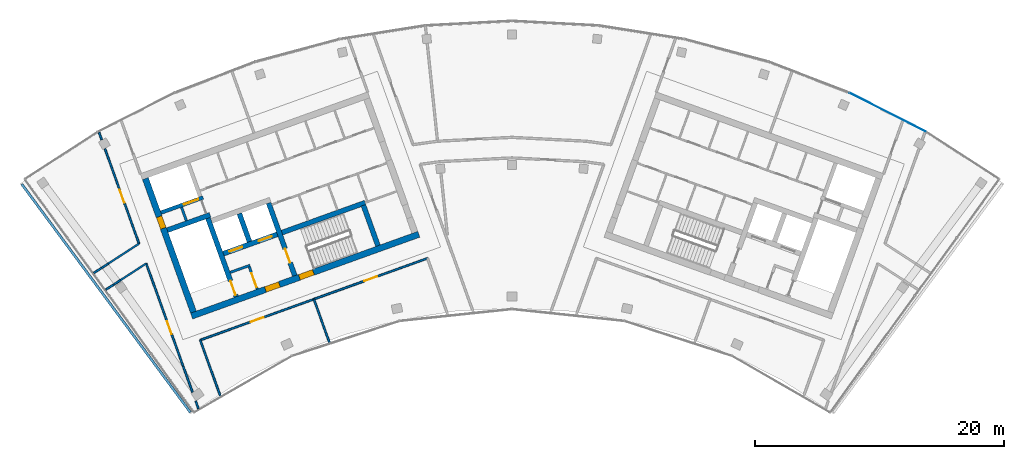
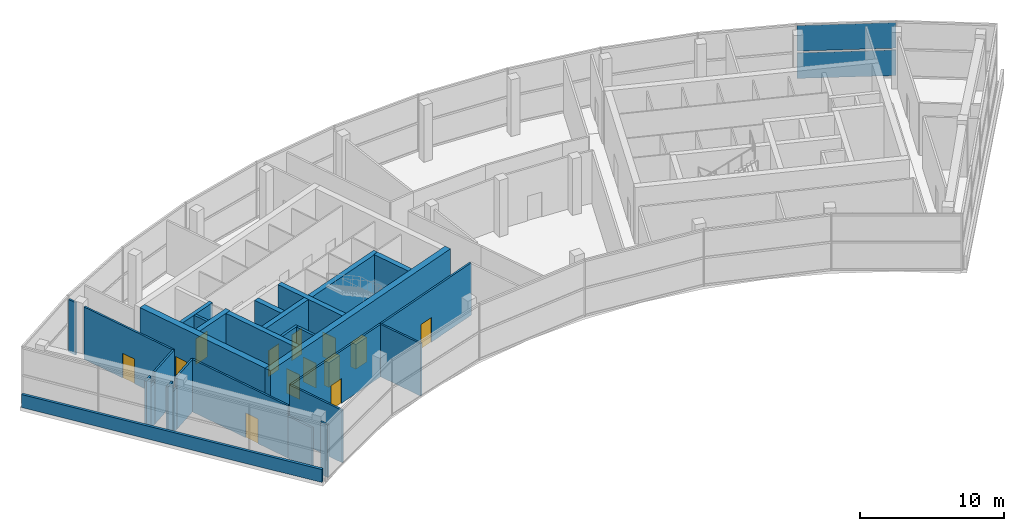
# One storey, part 8 of 13: 28 walls, 13 doors, 2 plates, 13 openings, 1 element without a shape of its own.
"""IFC4 building model written with IfcOpenShell, lengths in metres."""

from ifc_helpers import new_model, si_unit, direction, frame, frame_2d, origin, origin_2d, place, context, subcontext, project, spatial, rectangle, extrude, material, layer, layer_set, type_object, element, fill, aggregate, save


model = new_model("IFC4")

# Units and contexts
model_context = context("Model", 3, precision=1e-05, world=origin(), true_north=direction((0.0, 1.0)))
body_context = subcontext(model_context, "Body", "Model", "MODEL_VIEW")
ifc_project = project(units=[si_unit("LENGTHUNIT", "METRE"), si_unit("AREAUNIT", "SQUARE_METRE"), si_unit("VOLUMEUNIT", "CUBIC_METRE"), si_unit("PLANEANGLEUNIT", "RADIAN"), si_unit("MASSUNIT", "GRAM", prefix="KILO")], contexts=[model_context])

# Site, building, storey
site_placement = place(None, origin())
site = spatial("IfcSite", under=ifc_project, at=site_placement, CompositionType="ELEMENT")
building_placement = place(site_placement, origin())
building = spatial("IfcBuilding", under=site, at=building_placement, Name="Stone Belt Terrace Tower", CompositionType="ELEMENT")
storey_placement = place(building_placement, frame((0.0, 0.0, 332.60009765625)))
storey = spatial("IfcBuildingStorey", under=building, at=storey_placement, Name="L79", CompositionType="ELEMENT", Elevation=332.60009765625)

# Curtain wall, plates
ifc_material_1 = material(Name="Aluminium 6063-T6 anodised frame", Category="aluminium")
ifc_layer_1 = layer(ifc_material_1, 0.14990234375)
ifc_layer_set_1 = layer_set([ifc_layer_1], Name="CW-F observation floor curtain wall")
curtain_wall_type = type_object("IfcCurtainWallType", Name="CW-F observation floor curtain wall", PredefinedType="NOTDEFINED", material=ifc_layer_set_1)
curtain_wall_placement = place(storey_placement, origin())
curtain_wall = element("IfcCurtainWall", 1, at=curtain_wall_placement, inside=storey, type_object=curtain_wall_type, Name="CW-F convex face L79", PredefinedType="NOTDEFINED")
ifc_material_2 = material(Name="Clear double glazed unit")
ifc_layer_2 = layer(ifc_material_2, 0.035888671875)
ifc_layer_set_2 = layer_set([ifc_layer_2], Name="CW-F glass panel 36")
plate_type = type_object("IfcPlateType", Name="CW-F glass panel 36", PredefinedType="CURTAIN_PANEL", material=ifc_layer_set_2)
plate_1_placement = place(storey_placement, frame((30.18310546875, 59.237548828125, 0.14990234375), z_axis=(0.0, 0.0, 1.0), x_axis=(-0.891006524188, 0.45399049974, 0.0)))
plate_1 = element("IfcPlate", 2, at=plate_1_placement, type_object=plate_type, Name="CW-F panel 2.1", PredefinedType="CURTAIN_PANEL", context=body_context, shape_type="SweptSolid", body=[
    extrude(rectangle(XDim=6.890869140625, YDim=0.035888671875, at=origin_2d()), origin(), (0.0, 0.0, 1.0), 2.175048828125),
])
plate_2_placement = place(storey_placement, frame((30.18310546875, 59.237548828125, 2.47509765625), z_axis=(0.0, 0.0, 1.0), x_axis=(-0.891006524188, 0.45399049974, 0.0)))
plate_2 = element("IfcPlate", 3, at=plate_2_placement, type_object=plate_type, Name="CW-F panel 2.2", PredefinedType="CURTAIN_PANEL", context=body_context, shape_type="SweptSolid", body=[
    extrude(rectangle(XDim=6.890869140625, YDim=0.035888671875, at=origin_2d()), origin(), (0.0, 0.0, 1.0), 2.175048828125),
])
aggregate(curtain_wall, [plate_1, plate_2])

# Wall, openings, doors
ifc_material_3 = material(Name="Concrete B60", Category="concrete")
ifc_layer_3 = layer(ifc_material_3, 0.5)
ifc_layer_set_3 = layer_set([ifc_layer_3], Name="Core wall 500 B60")
wall_type_1 = type_object("IfcWallType", Name="Core wall 500 B60", PredefinedType="SHEAR", material=ifc_layer_set_3)
wall_1_placement = place(storey_placement, frame((-25.736572265625, 42.867431640625, 0.0), z_axis=(0.0, 0.0, 1.0), x_axis=(0.940917407757, 0.338636134781, 0.0)))
wall_1 = element("IfcWall", 4, at=wall_1_placement, inside=storey, type_object=wall_type_1, Name="Core A wall concave L79", PredefinedType="SHEAR", context=body_context, shape_type="SweptSolid", body=[
    extrude(rectangle(XDim=19.400146484375, YDim=0.5, at=frame_2d((9.7001953125, 0.0))), origin(), (0.0, 0.0, 1.0), 4.7998046875),
])
opening_1_placement = place(wall_1_placement, frame((6.300048828125, 0.0, 0.0)))
opening_1 = element("IfcOpeningElement", 5, at=opening_1_placement, cuts=wall_1, Name="Opening L79-C16", PredefinedType="OPENING", context=body_context, shape_type="SweptSolid", body=[
    extrude(rectangle(XDim=1.199951171875, YDim=2.10009765625, at=frame_2d((0.60009765625, 1.050048828125))), frame((0.0, 0.260009765625, 0.0), z_axis=(0.0, -1.0, 0.0), x_axis=(1.0, 0.0, 0.0)), (0.0, 0.0, 1.0), 0.52001953125),
])
opening_2_placement = place(wall_1_placement, frame((9.2001953125, 0.0, 0.0)))
opening_2 = element("IfcOpeningElement", 6, at=opening_2_placement, cuts=wall_1, Name="Opening L79-C18", PredefinedType="OPENING", context=body_context, shape_type="SweptSolid", body=[
    extrude(rectangle(XDim=1.199951171875, YDim=2.10009765625, at=frame_2d((0.60009765625, 1.050048828125))), frame((0.0, 0.260009765625, 0.0), z_axis=(0.0, -1.0, 0.0), x_axis=(1.0, 0.0, 0.0)), (0.0, 0.0, 1.0), 0.52001953125),
])
ifc_material_4 = material(Name="Steel door leaf", Category="steel")
door_type_1 = type_object("IfcDoorType", Name="Fire-fighting lobby door 1200", OperationType="SINGLE_SWING_LEFT", PredefinedType="DOOR", material=ifc_material_4)
door_1_placement = place(opening_1_placement, origin())
door_1 = element("IfcDoor", 7, at=door_1_placement, inside=storey, type_object=door_type_1, Name="Fire-fighting lobby door core A", OperationType="SINGLE_SWING_LEFT", OverallHeight=2.10009765625, OverallWidth=1.199951171875, PredefinedType="DOOR", context=body_context, shape_type="SweptSolid", body=[
    extrude(rectangle(XDim=1.199951171875, YDim=2.10009765625, at=frame_2d((0.60009765625, 1.050048828125))), frame((0.0, 0.22998046875, 0.0), z_axis=(0.0, -1.0, 0.0), x_axis=(1.0, 0.0, 0.0)), (0.0, 0.0, 1.0), 0.4599609375),
])
fill(opening_1, door_1)
door_type_2 = type_object("IfcDoorType", Name="Stair door 1200", OperationType="SINGLE_SWING_LEFT", PredefinedType="DOOR", material=ifc_material_4)
door_2_placement = place(opening_2_placement, origin())
door_2 = element("IfcDoor", 8, at=door_2_placement, inside=storey, type_object=door_type_2, Name="Stair 2 exit door core A", OperationType="SINGLE_SWING_RIGHT", OverallHeight=2.10009765625, OverallWidth=1.199951171875, PredefinedType="DOOR", context=body_context, shape_type="SweptSolid", body=[
    extrude(rectangle(XDim=1.199951171875, YDim=2.10009765625, at=frame_2d((0.60009765625, 1.050048828125))), frame((0.0, 0.22998046875, 0.0), z_axis=(0.0, -1.0, 0.0), x_axis=(1.0, 0.0, 0.0)), (0.0, 0.0, 1.0), 0.4599609375),
])
fill(opening_2, door_2)

# Wall, opening, door
wall_2_placement = place(storey_placement, frame((-25.5859375, 43.1875, 0.0), z_axis=(0.0, 0.0, 1.0), x_axis=(-0.338632255135, 0.940918804033, 0.0)))
wall_2 = element("IfcWall", 9, at=wall_2_placement, inside=storey, type_object=wall_type_1, Name="Core A wall end_a L79", PredefinedType="SHEAR", context=body_context, shape_type="SweptSolid", body=[
    extrude(rectangle(XDim=11.39990234375, YDim=0.5, at=frame_2d((5.699951171875, 0.0))), origin(), (0.0, 0.0, 1.0), 4.7998046875),
])
opening_3_placement = place(wall_2_placement, frame((7.150146484375, 0.0, 0.0)))
opening_3 = element("IfcOpeningElement", 10, at=opening_3_placement, cuts=wall_2, Name="Opening L79-C11", PredefinedType="OPENING", context=body_context, shape_type="SweptSolid", body=[
    extrude(rectangle(XDim=1.0, YDim=2.10009765625, at=frame_2d((0.5, 1.050048828125))), frame((0.0, 0.260009765625, 0.0), z_axis=(0.0, -1.0, 0.0), x_axis=(1.0, 0.0, 0.0)), (0.0, 0.0, 1.0), 0.52001953125),
])
ifc_material_5 = material(Name="Timber door leaf", Category="wood")
door_type_3 = type_object("IfcDoorType", Name="Core room door 1000", OperationType="SINGLE_SWING_LEFT", PredefinedType="DOOR", material=ifc_material_5)
door_3_placement = place(opening_3_placement, origin())
door_3 = element("IfcDoor", 11, at=door_3_placement, inside=storey, type_object=door_type_3, Name="Door to Plant riser room core A", OperationType="SINGLE_SWING_RIGHT", OverallHeight=2.10009765625, OverallWidth=1.0, PredefinedType="DOOR", context=body_context, shape_type="SweptSolid", body=[
    extrude(rectangle(XDim=1.0, YDim=2.10009765625, at=frame_2d((0.5, 1.050048828125))), frame((0.0, 0.22998046875, 0.0), z_axis=(0.0, -1.0, 0.0), x_axis=(1.0, 0.0, 0.0)), (0.0, 0.0, 1.0), 0.4599609375),
])
fill(opening_3, door_3)

# Wall
ifc_material_6 = material(Name="Concrete B80", Category="concrete")
ifc_layer_4 = layer(ifc_material_6, 0.39990234375)
ifc_layer_set_4 = layer_set([ifc_layer_4], Name="Fire-fighting lift shaft wall 400")
wall_type_2 = type_object("IfcWallType", Name="Fire-fighting lift shaft wall 400", PredefinedType="SHEAR", material=ifc_layer_set_4)
wall_3_placement = place(storey_placement, frame((-21.0859375, 48.845458984375, 0.0), z_axis=(0.0, 0.0, 1.0), x_axis=(-0.338629416206, 0.940919825745, 0.0)))
element("IfcWall", 12, at=wall_3_placement, inside=storey, type_object=wall_type_2, Name="Core A wall", PredefinedType="SHEAR", context=body_context, shape_type="SweptSolid", body=[
    extrude(rectangle(XDim=2.400146484375, YDim=0.39990234375, at=frame_2d((1.2001953125, 0.0))), origin(), (0.0, 0.0, 1.0), 4.449951171875),
])

# Wall, opening, door
ifc_layer_5 = layer(ifc_material_6, 0.300048828125)
ifc_layer_set_5 = layer_set([ifc_layer_5], Name="Lift shaft wall 300")
wall_type_3 = type_object("IfcWallType", Name="Lift shaft wall 300", PredefinedType="SHEAR", material=ifc_layer_set_5)
wall_4_placement = place(storey_placement, frame((-28.195068359375, 51.17578125, 0.0), z_axis=(0.0, 0.0, 1.0), x_axis=(0.940901243567, 0.338681044427, 0.0)))
wall_4 = element("IfcWall", 13, at=wall_4_placement, inside=storey, type_object=wall_type_3, Name="Core A wall", PredefinedType="SHEAR", context=body_context, shape_type="SweptSolid", body=[
    extrude(rectangle(XDim=3.599853515625, YDim=0.300048828125, at=frame_2d((1.7998046875, 0.0))), origin(), (0.0, 0.0, 1.0), 4.449951171875),
])
opening_4_placement = place(wall_4_placement, frame((1.969970703125, 0.0, 0.0)))
opening_4 = element("IfcOpeningElement", 14, at=opening_4_placement, cuts=wall_4, Name="Opening L79-LD03", PredefinedType="OPENING", context=body_context, shape_type="SweptSolid", body=[
    extrude(rectangle(XDim=1.199951171875, YDim=2.199951171875, at=frame_2d((0.60009765625, 1.10009765625))), frame((0.0, 0.159912109375, 0.0), z_axis=(0.0, -1.0, 0.0), x_axis=(1.0, 0.0, 0.0)), (0.0, 0.0, 1.0), 0.320068359375),
])
ifc_material_7 = material(Name="Stainless steel door leaf", Category="steel")
door_type_4 = type_object("IfcDoorType", Name="Landing door 1200", OperationType="SLIDING_TO_LEFT", PredefinedType="DOOR", material=ifc_material_7)
door_4_placement = place(opening_4_placement, origin())
door_4 = element("IfcDoor", 15, at=door_4_placement, inside=storey, type_object=door_type_4, Name="Landing door SV1 core A", OperationType="SLIDING_TO_LEFT", OverallHeight=2.199951171875, OverallWidth=1.199951171875, PredefinedType="DOOR", context=body_context, shape_type="SweptSolid", body=[
    extrude(rectangle(XDim=1.199951171875, YDim=2.199951171875, at=frame_2d((0.60009765625, 1.10009765625))), frame((0.0, 0.02490234375, 0.0), z_axis=(0.0, -1.0, 0.0), x_axis=(1.0, 0.0, 0.0)), (0.0, 0.0, 1.0), 0.050048828125),
])
fill(opening_4, door_4)

# Walls
ifc_material_8 = material(Name="Gypsum board partition")
ifc_layer_6 = layer(ifc_material_8, 0.14990234375)
ifc_layer_set_6 = layer_set([ifc_layer_6], Name="PARTITION 150 EI 60")
wall_type_4 = type_object("IfcWallType", Name="PARTITION 150 EI 60", PredefinedType="PARTITIONING", material=ifc_layer_set_6)
wall_5_placement = place(storey_placement, frame((-25.0439453125, 40.945068359375, 0.0), z_axis=(0.0, 0.0, 1.0), x_axis=(0.338484933164, -0.940971811491, 0.0)))
element("IfcWall", 16, at=wall_5_placement, inside=storey, type_object=wall_type_4, Name="L79/wall/i001", PredefinedType="PARTITIONING", context=body_context, shape_type="SweptSolid", body=[
    extrude(rectangle(XDim=4.792236328125, YDim=0.14990234375, at=frame_2d((2.39599609375, 0.0))), origin(), (0.0, 0.0, 1.0), 4.449951171875),
])
wall_6_placement = place(storey_placement, frame((-25.181884765625, 35.4208984375, 0.0), z_axis=(0.0, 0.0, 1.0), x_axis=(-0.338613354987, 0.940925605893, 0.0)))
element("IfcWall", 17, at=wall_6_placement, inside=storey, type_object=wall_type_4, Name="L79/wall/i003", PredefinedType="PARTITIONING", context=body_context, shape_type="SweptSolid", body=[
    extrude(rectangle(XDim=0.65185546875, YDim=0.14990234375, at=frame_2d((0.325927734375, 0.0))), origin(), (0.0, 0.0, 1.0), 4.449951171875),
])
wall_7_placement = place(storey_placement, frame((-25.661376953125, 36.753662109375, 0.0), z_axis=(0.0, 0.0, 1.0), x_axis=(-0.338598077301, 0.940931103773, 0.0)))
element("IfcWall", 18, at=wall_7_placement, inside=storey, type_object=wall_type_4, Name="L79/wall/i004-1", PredefinedType="PARTITIONING", context=body_context, shape_type="SweptSolid", body=[
    extrude(rectangle(XDim=2.207763671875, YDim=0.14990234375, at=frame_2d((1.10400390625, 0.0))), origin(), (0.0, 0.0, 1.0), 3.5498046875),
])

# Wall, opening, door
wall_8_placement = place(storey_placement, frame((-26.408935546875, 38.8310546875, 0.0), z_axis=(0.0, 0.0, 1.0), x_axis=(-0.338577788823, 0.940938404422, 0.0)))
wall_8 = element("IfcWall", 19, at=wall_8_placement, inside=storey, type_object=wall_type_4, Name="L79/wall/i004-2", PredefinedType="PARTITIONING", context=body_context, shape_type="SweptSolid", body=[
    extrude(rectangle(XDim=8.787109375, YDim=0.14990234375, at=frame_2d((4.3935546875, 0.0))), origin(), (0.0, 0.0, 1.0), 4.449951171875),
])
opening_5_placement = place(wall_8_placement, frame((2.739501953125, 0.0, 0.0)))
opening_5 = element("IfcOpeningElement", 20, at=opening_5_placement, cuts=wall_8, Name="Opening D-C79-15", PredefinedType="OPENING", context=body_context, shape_type="SweptSolid", body=[
    extrude(rectangle(XDim=1.10009765625, YDim=2.10009765625, at=frame_2d((0.550048828125, 1.050048828125))), frame((0.0, 0.0849609375, 0.0), z_axis=(0.0, -1.0, 0.0), x_axis=(1.0, 0.0, 0.0)), (0.0, 0.0, 1.0), 0.169921875),
])
ifc_material_9 = material(Name="Steel fire door set", Category="steel")
door_type_5 = type_object("IfcDoorType", Name="SERVICE ROOM DOOR 1100 X 2100", OperationType="NOTDEFINED", PredefinedType="DOOR", material=ifc_material_9)
door_5_placement = place(opening_5_placement, origin())
door_5 = element("IfcDoor", 21, at=door_5_placement, inside=storey, type_object=door_type_5, Name="L79/door/i15", OperationType="SINGLE_SWING_RIGHT", OverallHeight=2.10009765625, OverallWidth=1.10009765625, PredefinedType="DOOR", context=body_context, shape_type="SweptSolid", body=[
    extrude(rectangle(XDim=1.10009765625, YDim=2.10009765625, at=frame_2d((0.550048828125, 1.050048828125))), frame((0.0, 0.02490234375, 0.0), z_axis=(0.0, -1.0, 0.0), x_axis=(1.0, 0.0, 0.0)), (0.0, 0.0, 1.0), 0.050048828125),
])
fill(opening_5, door_5)

wall_9_placement = place(storey_placement, frame((-29.9541015625, 48.679931640625, 0.0), z_axis=(0.0, 0.0, 1.0), x_axis=(-0.338576481112, 0.940938874974, 0.0)))
wall_9 = element("IfcWall", 22, at=wall_9_placement, inside=storey, type_object=wall_type_4, Name="L79/wall/i005", PredefinedType="PARTITIONING", context=body_context, shape_type="SweptSolid", body=[
    extrude(rectangle(XDim=8.10205078125, YDim=0.14990234375, at=frame_2d((4.051025390625, 0.0))), origin(), (0.0, 0.0, 1.0), 4.449951171875),
])
opening_6_placement = place(wall_9_placement, frame((3.5009765625, 0.0, 0.0)))
opening_6 = element("IfcOpeningElement", 23, at=opening_6_placement, cuts=wall_9, Name="Opening D-C79-16", PredefinedType="OPENING", context=body_context, shape_type="SweptSolid", body=[
    extrude(rectangle(XDim=1.10009765625, YDim=2.10009765625, at=frame_2d((0.550048828125, 1.050048828125))), frame((0.0, 0.0849609375, 0.0), z_axis=(0.0, -1.0, 0.0), x_axis=(1.0, 0.0, 0.0)), (0.0, 0.0, 1.0), 0.169921875),
])
door_6_placement = place(opening_6_placement, origin())
door_6 = element("IfcDoor", 24, at=door_6_placement, inside=storey, type_object=door_type_5, Name="L79/door/i16", OperationType="SINGLE_SWING_RIGHT", OverallHeight=2.10009765625, OverallWidth=1.10009765625, PredefinedType="DOOR", context=body_context, shape_type="SweptSolid", body=[
    extrude(rectangle(XDim=1.10009765625, YDim=2.10009765625, at=frame_2d((0.550048828125, 1.050048828125))), frame((0.0, 0.02490234375, 0.0), z_axis=(0.0, -1.0, 0.0), x_axis=(1.0, 0.0, 0.0)), (0.0, 0.0, 1.0), 0.050048828125),
])
fill(opening_6, door_6)

# Wall
wall_10_placement = place(storey_placement, frame((-32.958740234375, 57.030029296875, 0.0), z_axis=(0.0, 0.0, 1.0), x_axis=(-0.33837942702, 0.941009757319, 0.0)))
element("IfcWall", 25, at=wall_10_placement, inside=storey, type_object=wall_type_4, Name="L79/wall/i006", PredefinedType="PARTITIONING", context=body_context, shape_type="SweptSolid", body=[
    extrude(rectangle(XDim=0.6357421875, YDim=0.14990234375, at=frame_2d((0.31787109375, 0.0))), origin(), (0.0, 0.0, 1.0), 4.449951171875),
])

# Wall, opening, door
wall_11_placement = place(storey_placement, frame((-15.908935546875, 44.22509765625, 0.0), z_axis=(0.0, 0.0, 1.0), x_axis=(-0.940945435026, -0.338558249498, 0.0)))
wall_11 = element("IfcWall", 26, at=wall_11_placement, inside=storey, type_object=wall_type_4, Name="L79/wall/i012", PredefinedType="PARTITIONING", context=body_context, shape_type="SweptSolid", body=[
    extrude(rectangle(XDim=9.706298828125, YDim=0.14990234375, at=frame_2d((4.85302734375, 0.0))), origin(), (0.0, 0.0, 1.0), 4.449951171875),
])
opening_7_placement = place(wall_11_placement, frame((4.302978515625, 0.0, 0.0)))
opening_7 = element("IfcOpeningElement", 27, at=opening_7_placement, cuts=wall_11, Name="Opening D-C79-01", PredefinedType="OPENING", context=body_context, shape_type="SweptSolid", body=[
    extrude(rectangle(XDim=1.10009765625, YDim=2.10009765625, at=frame_2d((0.550048828125, 1.050048828125))), frame((0.0, 0.0849609375, 0.0), z_axis=(0.0, -1.0, 0.0), x_axis=(1.0, 0.0, 0.0)), (0.0, 0.0, 1.0), 0.169921875),
])
door_7_placement = place(opening_7_placement, origin())
door_7 = element("IfcDoor", 28, at=door_7_placement, inside=storey, type_object=door_type_5, Name="L79/door/i01", OperationType="SINGLE_SWING_LEFT", OverallHeight=2.10009765625, OverallWidth=1.10009765625, PredefinedType="DOOR", context=body_context, shape_type="SweptSolid", body=[
    extrude(rectangle(XDim=1.10009765625, YDim=2.10009765625, at=frame_2d((0.550048828125, 1.050048828125))), frame((0.0, 0.02490234375, 0.0), z_axis=(0.0, -1.0, 0.0), x_axis=(1.0, 0.0, 0.0)), (0.0, 0.0, 1.0), 0.050048828125),
])
fill(opening_7, door_7)

wall_12_placement = place(storey_placement, frame((-6.7880859375, 47.508056640625, 0.0), z_axis=(0.0, 0.0, 1.0), x_axis=(-0.940942551854, -0.33856626251, 0.0)))
wall_12 = element("IfcWall", 29, at=wall_12_placement, inside=storey, type_object=wall_type_4, Name="L79/wall/i013", PredefinedType="PARTITIONING", context=body_context, shape_type="SweptSolid", body=[
    extrude(rectangle(XDim=9.7060546875, YDim=0.14990234375, at=frame_2d((4.85302734375, 0.0))), origin(), (0.0, 0.0, 1.0), 4.449951171875),
])
opening_8_placement = place(wall_12_placement, frame((4.302978515625, 0.0, 0.0)))
opening_8 = element("IfcOpeningElement", 30, at=opening_8_placement, cuts=wall_12, Name="Opening D-C79-02", PredefinedType="OPENING", context=body_context, shape_type="SweptSolid", body=[
    extrude(rectangle(XDim=1.10009765625, YDim=2.10009765625, at=frame_2d((0.550048828125, 1.050048828125))), frame((0.0, 0.0849609375, 0.0), z_axis=(0.0, -1.0, 0.0), x_axis=(1.0, 0.0, 0.0)), (0.0, 0.0, 1.0), 0.169921875),
])
door_8_placement = place(opening_8_placement, origin())
door_8 = element("IfcDoor", 31, at=door_8_placement, inside=storey, type_object=door_type_5, Name="L79/door/i02", OperationType="SINGLE_SWING_RIGHT", OverallHeight=2.10009765625, OverallWidth=1.10009765625, PredefinedType="DOOR", context=body_context, shape_type="SweptSolid", body=[
    extrude(rectangle(XDim=1.10009765625, YDim=2.10009765625, at=frame_2d((0.550048828125, 1.050048828125))), frame((0.0, 0.02490234375, 0.0), z_axis=(0.0, -1.0, 0.0), x_axis=(1.0, 0.0, 0.0)), (0.0, 0.0, 1.0), 0.050048828125),
])
fill(opening_8, door_8)

# Walls
wall_13_placement = place(storey_placement, frame((-15.9150390625, 44.222900390625, 0.0), z_axis=(0.0, 0.0, 1.0), x_axis=(0.338565939122, -0.940942668215, 0.0)))
element("IfcWall", 32, at=wall_13_placement, inside=storey, type_object=wall_type_4, Name="L79/wall/i014", PredefinedType="PARTITIONING", context=body_context, shape_type="SweptSolid", body=[
    extrude(rectangle(XDim=3.716552734375, YDim=0.14990234375, at=frame_2d((1.8583984375, 0.0))), origin(), (0.0, 0.0, 1.0), 4.449951171875),
])
wall_14_placement = place(storey_placement, frame((-29.382080078125, 47.093017578125, 0.0), z_axis=(0.0, 0.0, 1.0), x_axis=(-0.838697084296, -0.544598201239, 0.0)))
element("IfcWall", 33, at=wall_14_placement, inside=storey, type_object=wall_type_4, Name="L79/wall/i043-1", PredefinedType="PARTITIONING", context=body_context, shape_type="SweptSolid", body=[
    extrude(rectangle(XDim=2.4638671875, YDim=0.14990234375, at=frame_2d((1.23193359375, 0.0))), origin(), (0.0, 0.0, 1.0), 4.449951171875),
])
wall_15_placement = place(storey_placement, frame((-31.448486328125, 45.751220703125, 0.0), z_axis=(0.0, 0.0, 1.0), x_axis=(-0.838744476061, -0.544525209589, 0.0)))
element("IfcWall", 34, at=wall_15_placement, inside=storey, type_object=wall_type_4, Name="L79/wall/i043-2", PredefinedType="PARTITIONING", context=body_context, shape_type="SweptSolid", body=[
    extrude(rectangle(XDim=0.611572265625, YDim=0.14990234375, at=frame_2d((0.3056640625, 0.0))), origin(), (0.0, 0.0, 1.0), 3.5498046875),
])
wall_16_placement = place(storey_placement, frame((-31.96142578125, 45.418212890625, 0.0), z_axis=(0.0, 0.0, 1.0), x_axis=(-0.838621970636, -0.544713861001, 0.0)))
element("IfcWall", 35, at=wall_16_placement, inside=storey, type_object=wall_type_4, Name="L79/wall/i043-3", PredefinedType="PARTITIONING", context=body_context, shape_type="SweptSolid", body=[
    extrude(rectangle(XDim=0.78173828125, YDim=0.14990234375, at=frame_2d((0.390869140625, 0.0))), origin(), (0.0, 0.0, 1.0), 4.449951171875),
])
wall_17_placement = place(storey_placement, frame((-33.5859375, 46.32861328125, 0.0), z_axis=(0.0, 0.0, 1.0), x_axis=(0.838709656375, 0.544578839382, 0.0)))
element("IfcWall", 36, at=wall_17_placement, inside=storey, type_object=wall_type_4, Name="L79/wall/i044-1", PredefinedType="PARTITIONING", context=body_context, shape_type="SweptSolid", body=[
    extrude(rectangle(XDim=0.75439453125, YDim=0.14990234375, at=frame_2d((0.377197265625, 0.0))), origin(), (0.0, 0.0, 1.0), 4.449951171875),
])
wall_18_placement = place(storey_placement, frame((-32.953125, 46.739501953125, 0.0), z_axis=(0.0, 0.0, 1.0), x_axis=(0.838626047143, 0.544707584906, 0.0)))
element("IfcWall", 37, at=wall_18_placement, inside=storey, type_object=wall_type_4, Name="L79/wall/i044-2", PredefinedType="PARTITIONING", context=body_context, shape_type="SweptSolid", body=[
    extrude(rectangle(XDim=0.611328125, YDim=0.14990234375, at=frame_2d((0.3056640625, 0.0))), origin(), (0.0, 0.0, 1.0), 3.5498046875),
])
wall_19_placement = place(storey_placement, frame((-32.4404296875, 47.072509765625, 0.0), z_axis=(0.0, 0.0, 1.0), x_axis=(0.838646913887, 0.544675457339, 0.0)))
element("IfcWall", 38, at=wall_19_placement, inside=storey, type_object=wall_type_4, Name="L79/wall/i044-3", PredefinedType="PARTITIONING", context=body_context, shape_type="SweptSolid", body=[
    extrude(rectangle(XDim=2.96240234375, YDim=0.14990234375, at=frame_2d((1.481201171875, 0.0))), origin(), (0.0, 0.0, 1.0), 4.449951171875),
])
ifc_material_10 = material(Name="Concrete masonry block", Category="masonry")
ifc_layer_7 = layer(ifc_material_10, 0.199951171875)
ifc_layer_set_7 = layer_set([ifc_layer_7], Name="Rated lobby wall 200")
wall_type_5 = type_object("IfcWallType", Name="Rated lobby wall 200", PredefinedType="PARTITIONING", material=ifc_layer_set_7)
wall_20_placement = place(storey_placement, frame((-26.1552734375, 50.5283203125, 0.0), z_axis=(0.0, 0.0, 1.0), x_axis=(-0.338621735342, 0.94092258999, 0.0)))
element("IfcWall", 39, at=wall_20_placement, inside=storey, type_object=wall_type_5, Name="Core A wall", PredefinedType="PARTITIONING", context=body_context, shape_type="SweptSolid", body=[
    extrude(rectangle(XDim=1.14990234375, YDim=0.199951171875, at=frame_2d((0.574951171875, 0.0))), origin(), (0.0, 0.0, 1.0), 4.449951171875),
])
wall_21_placement = place(storey_placement, frame((-22.640625, 46.373046875, 0.0), z_axis=(0.0, 0.0, 1.0), x_axis=(0.940966110313, 0.338500781747, 0.0)))
element("IfcWall", 40, at=wall_21_placement, inside=storey, type_object=wall_type_5, Name="Core A wall", PredefinedType="PARTITIONING", context=body_context, shape_type="SweptSolid", body=[
    extrude(rectangle(XDim=1.699951171875, YDim=0.199951171875, at=frame_2d((0.85009765625, 0.0))), origin(), (0.0, 0.0, 1.0), 4.449951171875),
])

# Wall, opening, door
wall_22_placement = place(storey_placement, frame((-20.4580078125, 45.032958984375, 0.0), z_axis=(0.0, 0.0, 1.0), x_axis=(-0.338573865316, 0.940939816208, 0.0)))
wall_22 = element("IfcWall", 41, at=wall_22_placement, inside=storey, type_object=wall_type_5, Name="Core A wall", PredefinedType="PARTITIONING", context=body_context, shape_type="SweptSolid", body=[
    extrude(rectangle(XDim=1.900146484375, YDim=0.199951171875, at=frame_2d((0.9501953125, 0.0))), origin(), (0.0, 0.0, 1.0), 4.449951171875),
])
opening_9_placement = place(wall_22_placement, frame((0.14990234375, 0.0, 0.0)))
opening_9 = element("IfcOpeningElement", 42, at=opening_9_placement, cuts=wall_22, Name="Opening L79-C15", PredefinedType="OPENING", context=body_context, shape_type="SweptSolid", body=[
    extrude(rectangle(XDim=1.199951171875, YDim=2.10009765625, at=frame_2d((0.60009765625, 1.050048828125))), frame((0.0, 0.10986328125, 0.0), z_axis=(0.0, -1.0, 0.0), x_axis=(1.0, 0.0, 0.0)), (0.0, 0.0, 1.0), 0.219970703125),
])
door_9_placement = place(opening_9_placement, origin())
door_9 = element("IfcDoor", 43, at=door_9_placement, inside=storey, type_object=door_type_2, Name="Stair airlock door core A", OperationType="SINGLE_SWING_LEFT", OverallHeight=2.10009765625, OverallWidth=1.199951171875, PredefinedType="DOOR", context=body_context, shape_type="SweptSolid", body=[
    extrude(rectangle(XDim=1.199951171875, YDim=2.10009765625, at=frame_2d((0.60009765625, 1.050048828125))), frame((0.0, 0.02490234375, 0.0), z_axis=(0.0, -1.0, 0.0), x_axis=(1.0, 0.0, 0.0)), (0.0, 0.0, 1.0), 0.050048828125),
])
fill(opening_9, door_9)

# Walls
ifc_material_11 = material(Name="Precast concrete C40/50", Category="concrete")
ifc_layer_8 = layer(ifc_material_11, 0.199951171875)
ifc_layer_set_8 = layer_set([ifc_layer_8], Name="Roof parapet 200 x 1100")
wall_type_6 = type_object("IfcWallType", Name="Roof parapet 200 x 1100", PredefinedType="PARAPET", material=ifc_layer_set_8)
wall_23_placement = place(storey_placement, frame((-39.379150390625, 53.462158203125, 0.0), z_axis=(0.0, 0.0, 1.0), x_axis=(0.594270923594, -0.804264924866, 0.0)))
element("IfcWall", 44, at=wall_23_placement, inside=storey, type_object=wall_type_6, Name="PARAPET L79", PredefinedType="PARAPET", context=body_context, shape_type="SweptSolid", body=[
    extrude(rectangle(XDim=22.7998046875, YDim=0.199951171875, at=frame_2d((11.39990234375, 0.0))), origin(), (0.0, 0.0, 1.0), 1.099853515625),
])
ifc_layer_9 = layer(ifc_material_6, 0.39990234375)
ifc_layer_set_9 = layer_set([ifc_layer_9], Name="Stair enclosure wall 400")
wall_type_7 = type_object("IfcWallType", Name="Stair enclosure wall 400", PredefinedType="SHEAR", material=ifc_layer_set_9)
wall_24_placement = place(storey_placement, frame((-27.687255859375, 49.764404296875, 0.0), z_axis=(0.0, 0.0, 1.0), x_axis=(0.940918954884, 0.338631835981, 0.0)))
element("IfcWall", 45, at=wall_24_placement, inside=storey, type_object=wall_type_7, Name="Core A wall", PredefinedType="SHEAR", context=body_context, shape_type="SweptSolid", body=[
    extrude(rectangle(XDim=3.650146484375, YDim=0.39990234375, at=frame_2d((1.8251953125, 0.0))), origin(), (0.0, 0.0, 1.0), 4.449951171875),
])

# Wall, opening, door
wall_25_placement = place(storey_placement, frame((-22.151611328125, 44.42333984375, 0.0), z_axis=(0.0, 0.0, 1.0), x_axis=(-0.338625272931, 0.940921316866, 0.0)))
wall_25 = element("IfcWall", 46, at=wall_25_placement, inside=storey, type_object=wall_type_7, Name="Core A wall", PredefinedType="SHEAR", context=body_context, shape_type="SweptSolid", body=[
    extrude(rectangle(XDim=6.699951171875, YDim=0.39990234375, at=frame_2d((3.35009765625, 0.0))), origin(), (0.0, 0.0, 1.0), 4.449951171875),
])
opening_10_placement = place(wall_25_placement, frame((0.14990234375, 0.0, 0.0)))
opening_10 = element("IfcOpeningElement", 47, at=opening_10_placement, cuts=wall_25, Name="Opening L79-C14", PredefinedType="OPENING", context=body_context, shape_type="SweptSolid", body=[
    extrude(rectangle(XDim=1.199951171875, YDim=2.10009765625, at=frame_2d((0.60009765625, 1.050048828125))), frame((0.0, 0.2099609375, 0.0), z_axis=(0.0, -1.0, 0.0), x_axis=(1.0, 0.0, 0.0)), (0.0, 0.0, 1.0), 0.419921875),
])
door_10_placement = place(opening_10_placement, origin())
door_10 = element("IfcDoor", 48, at=door_10_placement, inside=storey, type_object=door_type_2, Name="Stair 1 door core A", OperationType="SINGLE_SWING_LEFT", OverallHeight=2.10009765625, OverallWidth=1.199951171875, PredefinedType="DOOR", context=body_context, shape_type="SweptSolid", body=[
    extrude(rectangle(XDim=1.199951171875, YDim=2.10009765625, at=frame_2d((0.60009765625, 1.050048828125))), frame((0.0, 0.02490234375, 0.0), z_axis=(0.0, -1.0, 0.0), x_axis=(1.0, 0.0, 0.0)), (0.0, 0.0, 1.0), 0.050048828125),
])
fill(opening_10, door_10)

# Wall, openings, doors
wall_26_placement = place(storey_placement, frame((-23.182373046875, 47.87841796875, 0.0), z_axis=(0.0, 0.0, 1.0), x_axis=(0.940921101762, 0.338625870628, 0.0)))
wall_26 = element("IfcWall", 49, at=wall_26_placement, inside=storey, type_object=wall_type_7, Name="Core A wall", PredefinedType="SHEAR", context=body_context, shape_type="SweptSolid", body=[
    extrude(rectangle(XDim=12.10009765625, YDim=0.39990234375, at=frame_2d((6.050048828125, 0.0))), origin(), (0.0, 0.0, 1.0), 4.449951171875),
])
opening_11_placement = place(wall_26_placement, frame((0.52001953125, 0.0, 0.0)))
opening_11 = element("IfcOpeningElement", 50, at=opening_11_placement, cuts=wall_26, Name="Opening L79-LD01", PredefinedType="OPENING", context=body_context, shape_type="SweptSolid", body=[
    extrude(rectangle(XDim=1.10009765625, YDim=2.199951171875, at=frame_2d((0.550048828125, 1.10009765625))), frame((0.0, 0.2099609375, 0.0), z_axis=(0.0, -1.0, 0.0), x_axis=(1.0, 0.0, 0.0)), (0.0, 0.0, 1.0), 0.419921875),
])
opening_12_placement = place(wall_26_placement, frame((3.02001953125, 0.0, 0.0)))
opening_12 = element("IfcOpeningElement", 51, at=opening_12_placement, cuts=wall_26, Name="Opening L79-LD02", PredefinedType="OPENING", context=body_context, shape_type="SweptSolid", body=[
    extrude(rectangle(XDim=1.10009765625, YDim=2.199951171875, at=frame_2d((0.550048828125, 1.10009765625))), frame((0.0, 0.2099609375, 0.0), z_axis=(0.0, -1.0, 0.0), x_axis=(1.0, 0.0, 0.0)), (0.0, 0.0, 1.0), 0.419921875),
])
door_type_6 = type_object("IfcDoorType", Name="Landing door 1100", OperationType="SLIDING_TO_LEFT", PredefinedType="DOOR", material=ifc_material_7)
door_11_placement = place(opening_11_placement, origin())
door_11 = element("IfcDoor", 52, at=door_11_placement, inside=storey, type_object=door_type_6, Name="Landing door FF1 core A", OperationType="SLIDING_TO_LEFT", OverallHeight=2.199951171875, OverallWidth=1.10009765625, PredefinedType="DOOR", context=body_context, shape_type="SweptSolid", body=[
    extrude(rectangle(XDim=1.10009765625, YDim=2.199951171875, at=frame_2d((0.550048828125, 1.10009765625))), frame((0.0, 0.02490234375, 0.0), z_axis=(0.0, -1.0, 0.0), x_axis=(1.0, 0.0, 0.0)), (0.0, 0.0, 1.0), 0.050048828125),
])
fill(opening_11, door_11)
door_12_placement = place(opening_12_placement, origin())
door_12 = element("IfcDoor", 53, at=door_12_placement, inside=storey, type_object=door_type_6, Name="Landing door FF2 core A", OperationType="SLIDING_TO_LEFT", OverallHeight=2.199951171875, OverallWidth=1.10009765625, PredefinedType="DOOR", context=body_context, shape_type="SweptSolid", body=[
    extrude(rectangle(XDim=1.10009765625, YDim=2.199951171875, at=frame_2d((0.550048828125, 1.10009765625))), frame((0.0, 0.02490234375, 0.0), z_axis=(0.0, -1.0, 0.0), x_axis=(1.0, 0.0, 0.0)), (0.0, 0.0, 1.0), 0.050048828125),
])
fill(opening_12, door_12)

# Wall, opening, door
wall_27_placement = place(storey_placement, frame((-17.447021484375, 46.116455078125, 0.0), z_axis=(0.0, 0.0, 1.0), x_axis=(-0.33860791464, 0.940927563707, 0.0)))
wall_27 = element("IfcWall", 54, at=wall_27_placement, inside=storey, type_object=wall_type_7, Name="Core A wall", PredefinedType="SHEAR", context=body_context, shape_type="SweptSolid", body=[
    extrude(rectangle(XDim=6.199951171875, YDim=0.39990234375, at=frame_2d((3.10009765625, 0.0))), origin(), (0.0, 0.0, 1.0), 4.449951171875),
])
opening_13_placement = place(wall_27_placement, frame((1.10009765625, 0.0, 0.0)))
opening_13 = element("IfcOpeningElement", 55, at=opening_13_placement, cuts=wall_27, Name="Opening L79-C17", PredefinedType="OPENING", context=body_context, shape_type="SweptSolid", body=[
    extrude(rectangle(XDim=1.199951171875, YDim=2.10009765625, at=frame_2d((0.60009765625, 1.050048828125))), frame((0.0, 0.2099609375, 0.0), z_axis=(0.0, -1.0, 0.0), x_axis=(1.0, 0.0, 0.0)), (0.0, 0.0, 1.0), 0.419921875),
])
door_13_placement = place(opening_13_placement, origin())
door_13 = element("IfcDoor", 56, at=door_13_placement, inside=storey, type_object=door_type_2, Name="Stair 2 door core A", OperationType="SINGLE_SWING_LEFT", OverallHeight=2.10009765625, OverallWidth=1.199951171875, PredefinedType="DOOR", context=body_context, shape_type="SweptSolid", body=[
    extrude(rectangle(XDim=1.199951171875, YDim=2.10009765625, at=frame_2d((0.60009765625, 1.050048828125))), frame((0.0, 0.02490234375, 0.0), z_axis=(0.0, -1.0, 0.0), x_axis=(1.0, 0.0, 0.0)), (0.0, 0.0, 1.0), 0.050048828125),
])
fill(opening_13, door_13)

# Wall
wall_28_placement = place(storey_placement, frame((-10.766357421875, 48.520751953125, 0.0), z_axis=(0.0, 0.0, 1.0), x_axis=(-0.338621735342, 0.94092258999, 0.0)))
element("IfcWall", 57, at=wall_28_placement, inside=storey, type_object=wall_type_7, Name="Core A wall", PredefinedType="SHEAR", context=body_context, shape_type="SweptSolid", body=[
    extrude(rectangle(XDim=3.449951171875, YDim=0.39990234375, at=frame_2d((1.72509765625, 0.0))), origin(), (0.0, 0.0, 1.0), 4.449951171875),
])

save(model, "model.ifc")
